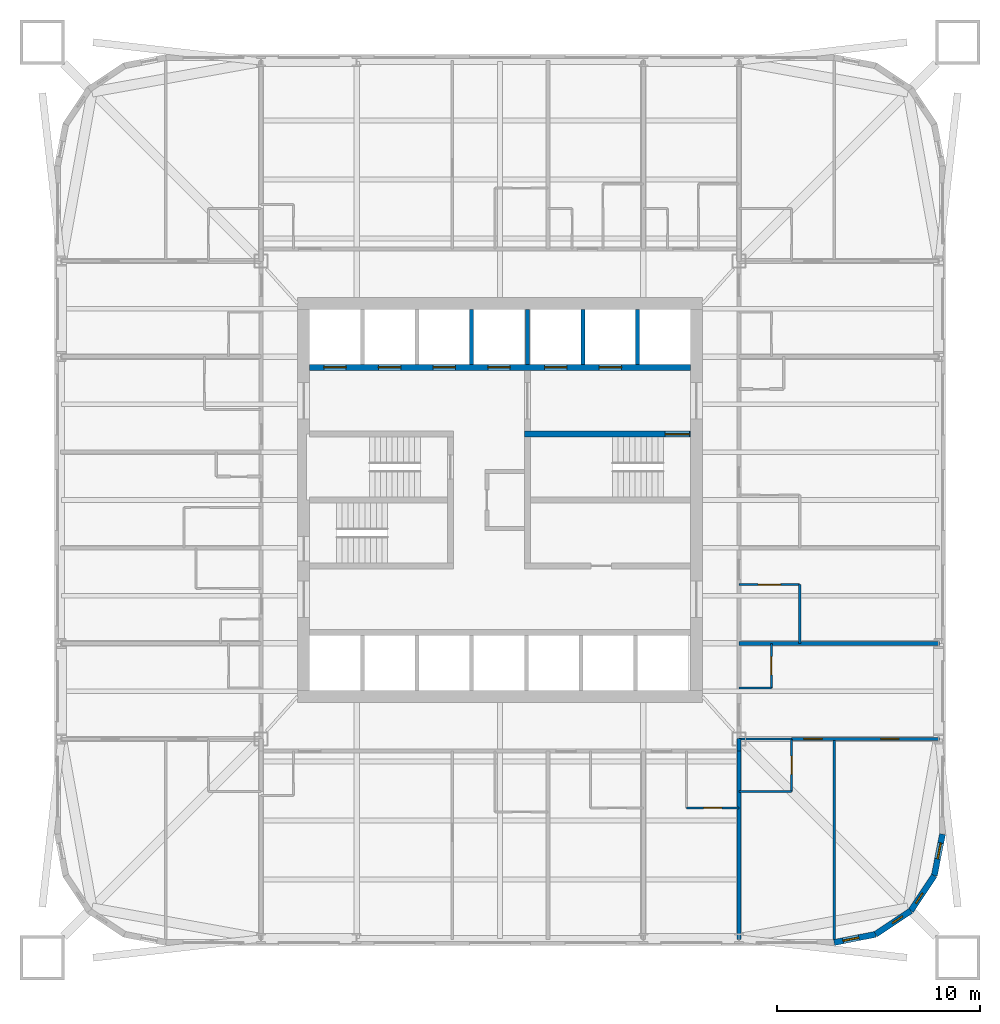
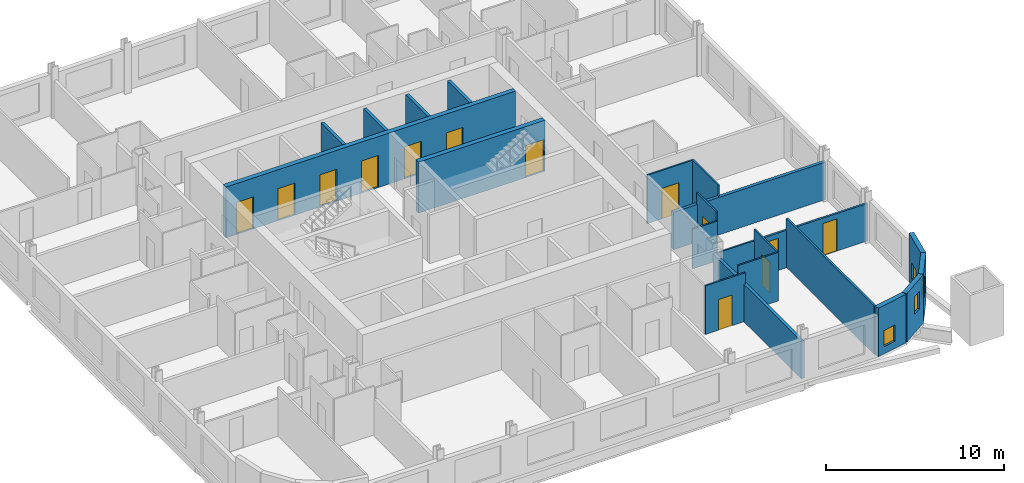
# One storey, part 5 of 9: 23 walls, 13 doors, 4 windows, 17 openings.
"""IFC4 building model written with IfcOpenShell, lengths in metres."""

from ifc_helpers import new_model, si_unit, direction, frame, frame_2d, origin, place, context, subcontext, project, spatial, rectangle, extrude, material, layer, layer_set, type_object, element, fill, save


model = new_model("IFC4")

# Units and contexts
model_context = context("Model", 3, precision=1e-05, world=origin(), true_north=direction((0.0, 1.0)))
body_context = subcontext(model_context, "Body", "Model", "MODEL_VIEW")
ifc_project = project(units=[si_unit("LENGTHUNIT", "METRE"), si_unit("AREAUNIT", "SQUARE_METRE"), si_unit("VOLUMEUNIT", "CUBIC_METRE"), si_unit("PLANEANGLEUNIT", "RADIAN"), si_unit("MASSUNIT", "GRAM", prefix="KILO")], contexts=[model_context])

# Site, building, storey
site_placement = place(None, origin())
site = spatial("IfcSite", under=ifc_project, at=site_placement, CompositionType="ELEMENT")
building_placement = place(site_placement, origin())
building = spatial("IfcBuilding", under=site, at=building_placement, Name="Turquesa Mirador Hotel Tower", CompositionType="ELEMENT")
storey_placement = place(building_placement, frame((0.0, 0.0, 28.5)))
storey = spatial("IfcBuildingStorey", under=building, at=storey_placement, Name="L06", CompositionType="ELEMENT", Elevation=28.5)

# Walls
ifc_material_1 = material(Name="Gypsum board on steel studs", Category="steel")
ifc_layer_1 = layer(ifc_material_1, 0.10009765625)
ifc_layer_set_1 = layer_set([ifc_layer_1], Name="BATHROOM WALL 100")
wall_type_1 = type_object("IfcWallType", Name="BATHROOM WALL 100", PredefinedType="PARTITIONING", material=ifc_layer_set_1)
wall_1_placement = place(storey_placement, frame((66.800048828125, 33.199951171875, 0.0), z_axis=(0.0, 0.0, 1.0), x_axis=(1.0, 0.0, 0.0)))
element("IfcWall", 1, at=wall_1_placement, inside=storey, type_object=wall_type_1, Name="Partition L06 003", PredefinedType="PARTITIONING", context=body_context, shape_type="SweptSolid", body=[
    extrude(rectangle(XDim=2.599853515625, YDim=0.10009765625, at=frame_2d((1.2998046875, 0.0))), origin(), (0.0, 0.0, 1.0), 2.572998046875),
])
wall_2_placement = place(storey_placement, frame((66.800048828125, 30.60009765625, 0.0), z_axis=(0.0, 0.0, 1.0), x_axis=(1.0, 0.0, 0.0)))
element("IfcWall", 2, at=wall_2_placement, inside=storey, type_object=wall_type_1, Name="Partition L06 008", PredefinedType="PARTITIONING", context=body_context, shape_type="SweptSolid", body=[
    extrude(rectangle(XDim=2.599853515625, YDim=0.10009765625, at=frame_2d((1.2998046875, 0.0))), origin(), (0.0, 0.0, 1.0), 3.330078125),
])

# Wall, opening, door
wall_3_placement = place(storey_placement, frame((64.199951171875, 29.800048828125, 0.0), z_axis=(0.0, 0.0, 1.0), x_axis=(1.0, 0.0, 0.0)))
wall_3 = element("IfcWall", 3, at=wall_3_placement, inside=storey, type_object=wall_type_1, Name="Partition L06 011", PredefinedType="PARTITIONING", context=body_context, shape_type="SweptSolid", body=[
    extrude(rectangle(XDim=2.60009765625, YDim=0.10009765625, at=frame_2d((1.300048828125, 0.0))), origin(), (0.0, 0.0, 1.0), 3.330078125),
])
opening_1_placement = place(wall_3_placement, frame((0.85009765625, 0.0, 0.0)))
opening_1 = element("IfcOpeningElement", 4, at=opening_1_placement, cuts=wall_3, Name="Opening D02", PredefinedType="OPENING", context=body_context, shape_type="SweptSolid", body=[
    extrude(rectangle(XDim=0.89990234375, YDim=2.10009765625, at=frame_2d((0.449951171875, 1.050048828125))), frame((0.0, 0.06005859375, 0.0), z_axis=(0.0, -1.0, 0.0), x_axis=(1.0, 0.0, 0.0)), (0.0, 0.0, 1.0), 0.1201171875),
])
ifc_material_2 = material(Name="Timber veneered door", Category="wood")
door_type_1 = type_object("IfcDoorType", Name="DOOR 900X2100 EN-SUITE", OperationType="SINGLE_SWING_RIGHT", PredefinedType="DOOR", material=ifc_material_2)
door_1_placement = place(opening_1_placement, origin())
door_1 = element("IfcDoor", 5, at=door_1_placement, inside=storey, type_object=door_type_1, Name="Door 0606B", OperationType="SINGLE_SWING_RIGHT", OverallHeight=2.10009765625, OverallWidth=0.89990234375, PredefinedType="DOOR", context=body_context, shape_type="SweptSolid", body=[
    extrude(rectangle(XDim=0.89990234375, YDim=2.10009765625, at=frame_2d((0.449951171875, 1.050048828125))), frame((0.0, 0.02490234375, 0.0), z_axis=(0.0, -1.0, 0.0), x_axis=(1.0, 0.0, 0.0)), (0.0, 0.0, 1.0), 0.050048828125),
])
fill(opening_1, door_1)

wall_4_placement = place(storey_placement, frame((66.800048828125, 40.820068359375, 0.0), z_axis=(0.0, 0.0, 1.0), x_axis=(1.0, 0.0, 0.0)))
wall_4 = element("IfcWall", 6, at=wall_4_placement, inside=storey, type_object=wall_type_1, Name="Partition L06 015", PredefinedType="PARTITIONING", context=body_context, shape_type="SweptSolid", body=[
    extrude(rectangle(XDim=3.0, YDim=0.10009765625, at=frame_2d((1.5, 0.0))), origin(), (0.0, 0.0, 1.0), 3.330078125),
])
opening_2_placement = place(wall_4_placement, frame((0.949951171875, 0.0, 0.0)))
opening_2 = element("IfcOpeningElement", 7, at=opening_2_placement, cuts=wall_4, Name="Opening D16", PredefinedType="OPENING", context=body_context, shape_type="SweptSolid", body=[
    extrude(rectangle(XDim=1.10009765625, YDim=2.10009765625, at=frame_2d((0.550048828125, 1.050048828125))), frame((0.0, 0.06005859375, 0.0), z_axis=(0.0, -1.0, 0.0), x_axis=(1.0, 0.0, 0.0)), (0.0, 0.0, 1.0), 0.1201171875),
])
ifc_material_3 = material(Name="Timber veneered sliding door", Category="wood")
door_type_2 = type_object("IfcDoorType", Name="DOOR 1100X2100 ACCESSIBLE EN-SUITE", OperationType="SLIDING_TO_LEFT", PredefinedType="DOOR", material=ifc_material_3)
door_2_placement = place(opening_2_placement, origin())
door_2 = element("IfcDoor", 8, at=door_2_placement, inside=storey, type_object=door_type_2, Name="Door 0607B", OperationType="SLIDING_TO_LEFT", OverallHeight=2.10009765625, OverallWidth=1.10009765625, PredefinedType="DOOR", context=body_context, shape_type="SweptSolid", body=[
    extrude(rectangle(XDim=1.10009765625, YDim=2.10009765625, at=frame_2d((0.550048828125, 1.050048828125))), frame((0.0, 0.02490234375, 0.0), z_axis=(0.0, -1.0, 0.0), x_axis=(1.0, 0.0, 0.0)), (0.0, 0.0, 1.0), 0.050048828125),
])
fill(opening_2, door_2)

# Wall
wall_5_placement = place(storey_placement, frame((66.800048828125, 35.719970703125, 0.0), z_axis=(0.0, 0.0, 1.0), x_axis=(1.0, 0.0, 0.0)))
element("IfcWall", 9, at=wall_5_placement, inside=storey, type_object=wall_type_1, Name="Partition L06 021", PredefinedType="PARTITIONING", context=body_context, shape_type="SweptSolid", body=[
    extrude(rectangle(XDim=1.599853515625, YDim=0.10009765625, at=frame_2d((0.7998046875, 0.0))), origin(), (0.0, 0.0, 1.0), 2.722900390625),
])

# Wall, opening, door
wall_6_placement = place(storey_placement, frame((68.39990234375, 35.719970703125, 0.0), z_axis=(0.0, 0.0, 1.0), x_axis=(0.0, 1.0, 0.0)))
wall_6 = element("IfcWall", 10, at=wall_6_placement, inside=storey, type_object=wall_type_1, Name="Partition L06 069", PredefinedType="PARTITIONING", context=body_context, shape_type="SweptSolid", body=[
    extrude(rectangle(XDim=2.199951171875, YDim=0.10009765625, at=frame_2d((1.10009765625, 0.0))), origin(), (0.0, 0.0, 1.0), 3.330078125),
])
opening_3_placement = place(wall_6_placement, frame((0.64990234375, 0.0, 0.0)))
opening_3 = element("IfcOpeningElement", 11, at=opening_3_placement, cuts=wall_6, Name="Opening D06", PredefinedType="OPENING", context=body_context, shape_type="SweptSolid", body=[
    extrude(rectangle(XDim=0.89990234375, YDim=2.10009765625, at=frame_2d((0.449951171875, 1.050048828125))), frame((0.0, 0.06005859375, 0.0), z_axis=(0.0, -1.0, 0.0), x_axis=(1.0, 0.0, 0.0)), (0.0, 0.0, 1.0), 0.1201171875),
])
ifc_material_4 = material(Name="Laminate door", Category="wood")
door_type_3 = type_object("IfcDoorType", Name="DOOR 900X2100 WC", OperationType="SINGLE_SWING_LEFT", PredefinedType="DOOR", material=ifc_material_4)
door_3_placement = place(opening_3_placement, origin())
door_3 = element("IfcDoor", 12, at=door_3_placement, inside=storey, type_object=door_type_3, Name="Door 0615W", OperationType="SINGLE_SWING_LEFT", OverallHeight=2.10009765625, OverallWidth=0.89990234375, PredefinedType="DOOR", context=body_context, shape_type="SweptSolid", body=[
    extrude(rectangle(XDim=0.89990234375, YDim=2.10009765625, at=frame_2d((0.449951171875, 1.050048828125))), frame((0.0, 0.02490234375, 0.0), z_axis=(0.0, -1.0, 0.0), x_axis=(1.0, 0.0, 0.0)), (0.0, 0.0, 1.0), 0.050048828125),
])
fill(opening_3, door_3)

wall_7_placement = place(storey_placement, frame((69.39990234375, 30.60009765625, 0.0), z_axis=(0.0, 0.0, 1.0), x_axis=(0.0, 1.0, 0.0)))
wall_7 = element("IfcWall", 13, at=wall_7_placement, inside=storey, type_object=wall_type_1, Name="Partition L06 072", PredefinedType="PARTITIONING", context=body_context, shape_type="SweptSolid", body=[
    extrude(rectangle(XDim=2.599853515625, YDim=0.10009765625, at=frame_2d((1.2998046875, 0.0))), origin(), (0.0, 0.0, 1.0), 3.330078125),
])
opening_4_placement = place(wall_7_placement, frame((0.85009765625, 0.0, 0.0)))
opening_4 = element("IfcOpeningElement", 14, at=opening_4_placement, cuts=wall_7, Name="Opening D02", PredefinedType="OPENING", context=body_context, shape_type="SweptSolid", body=[
    extrude(rectangle(XDim=0.89990234375, YDim=2.10009765625, at=frame_2d((0.449951171875, 1.050048828125))), frame((0.0, 0.06005859375, 0.0), z_axis=(0.0, -1.0, 0.0), x_axis=(1.0, 0.0, 0.0)), (0.0, 0.0, 1.0), 0.1201171875),
])
door_4_placement = place(opening_4_placement, origin())
door_4 = element("IfcDoor", 15, at=door_4_placement, inside=storey, type_object=door_type_1, Name="Door 0615B", OperationType="SINGLE_SWING_RIGHT", OverallHeight=2.10009765625, OverallWidth=0.89990234375, PredefinedType="DOOR", context=body_context, shape_type="SweptSolid", body=[
    extrude(rectangle(XDim=0.89990234375, YDim=2.10009765625, at=frame_2d((0.449951171875, 1.050048828125))), frame((0.0, 0.02490234375, 0.0), z_axis=(0.0, -1.0, 0.0), x_axis=(1.0, 0.0, 0.0)), (0.0, 0.0, 1.0), 0.050048828125),
])
fill(opening_4, door_4)

# Wall
wall_8_placement = place(storey_placement, frame((69.800048828125, 37.919921875, 0.0), z_axis=(0.0, 0.0, 1.0), x_axis=(0.0, 1.0, 0.0)))
element("IfcWall", 16, at=wall_8_placement, inside=storey, type_object=wall_type_1, Name="Partition L06 074", PredefinedType="PARTITIONING", context=body_context, shape_type="SweptSolid", body=[
    extrude(rectangle(XDim=2.900146484375, YDim=0.10009765625, at=frame_2d((1.4501953125, 0.0))), origin(), (0.0, 0.0, 1.0), 3.330078125),
])

# Wall, openings, doors
ifc_material_5 = material(Name="Concrete C50/60", Category="concrete")
ifc_layer_2 = layer(ifc_material_5, 0.300048828125)
ifc_layer_set_2 = layer_set([ifc_layer_2], Name="CORE INNER WALL 300")
wall_type_2 = type_object("IfcWallType", Name="CORE INNER WALL 300", PredefinedType="SHEAR", material=ifc_layer_set_2)
wall_9_placement = place(storey_placement, frame((45.60009765625, 51.550048828125, 0.0), z_axis=(0.0, 0.0, 1.0), x_axis=(1.0, 0.0, 0.0)))
wall_9 = element("IfcWall", 17, at=wall_9_placement, inside=storey, type_object=wall_type_2, Name="Core wall NL", PredefinedType="SHEAR", context=body_context, shape_type="SweptSolid", body=[
    extrude(rectangle(XDim=18.7998046875, YDim=0.300048828125, at=frame_2d((9.39990234375, 0.0))), origin(), (0.0, 0.0, 1.0), 3.5),
])
opening_5_placement = place(wall_9_placement, frame((0.699951171875, 0.0, 0.0)))
opening_5 = element("IfcOpeningElement", 18, at=opening_5_placement, cuts=wall_9, Name="Opening LD", PredefinedType="OPENING", context=body_context, shape_type="SweptSolid", body=[
    extrude(rectangle(XDim=1.10009765625, YDim=2.199951171875, at=frame_2d((0.550048828125, 1.10009765625))), frame((0.0, 0.159912109375, 0.0), z_axis=(0.0, -1.0, 0.0), x_axis=(1.0, 0.0, 0.0)), (0.0, 0.0, 1.0), 0.320068359375),
])
opening_6_placement = place(wall_9_placement, frame((3.39990234375, 0.0, 0.0)))
opening_6 = element("IfcOpeningElement", 19, at=opening_6_placement, cuts=wall_9, Name="Opening LD", PredefinedType="OPENING", context=body_context, shape_type="SweptSolid", body=[
    extrude(rectangle(XDim=1.10009765625, YDim=2.199951171875, at=frame_2d((0.550048828125, 1.10009765625))), frame((0.0, 0.159912109375, 0.0), z_axis=(0.0, -1.0, 0.0), x_axis=(1.0, 0.0, 0.0)), (0.0, 0.0, 1.0), 0.320068359375),
])
opening_7_placement = place(wall_9_placement, frame((6.10009765625, 0.0, 0.0)))
opening_7 = element("IfcOpeningElement", 20, at=opening_7_placement, cuts=wall_9, Name="Opening LD", PredefinedType="OPENING", context=body_context, shape_type="SweptSolid", body=[
    extrude(rectangle(XDim=1.10009765625, YDim=2.199951171875, at=frame_2d((0.550048828125, 1.10009765625))), frame((0.0, 0.159912109375, 0.0), z_axis=(0.0, -1.0, 0.0), x_axis=(1.0, 0.0, 0.0)), (0.0, 0.0, 1.0), 0.320068359375),
])
opening_8_placement = place(wall_9_placement, frame((8.800048828125, 0.0, 0.0)))
opening_8 = element("IfcOpeningElement", 21, at=opening_8_placement, cuts=wall_9, Name="Opening LD", PredefinedType="OPENING", context=body_context, shape_type="SweptSolid", body=[
    extrude(rectangle(XDim=1.10009765625, YDim=2.199951171875, at=frame_2d((0.550048828125, 1.10009765625))), frame((0.0, 0.159912109375, 0.0), z_axis=(0.0, -1.0, 0.0), x_axis=(1.0, 0.0, 0.0)), (0.0, 0.0, 1.0), 0.320068359375),
])
opening_9_placement = place(wall_9_placement, frame((11.60009765625, 0.0, 0.0)))
opening_9 = element("IfcOpeningElement", 22, at=opening_9_placement, cuts=wall_9, Name="Opening LD", PredefinedType="OPENING", context=body_context, shape_type="SweptSolid", body=[
    extrude(rectangle(XDim=1.10009765625, YDim=2.199951171875, at=frame_2d((0.550048828125, 1.10009765625))), frame((0.0, 0.159912109375, 0.0), z_axis=(0.0, -1.0, 0.0), x_axis=(1.0, 0.0, 0.0)), (0.0, 0.0, 1.0), 0.320068359375),
])
opening_10_placement = place(wall_9_placement, frame((14.300048828125, 0.0, 0.0)))
opening_10 = element("IfcOpeningElement", 23, at=opening_10_placement, cuts=wall_9, Name="Opening LD", PredefinedType="OPENING", context=body_context, shape_type="SweptSolid", body=[
    extrude(rectangle(XDim=1.10009765625, YDim=2.199951171875, at=frame_2d((0.550048828125, 1.10009765625))), frame((0.0, 0.159912109375, 0.0), z_axis=(0.0, -1.0, 0.0), x_axis=(1.0, 0.0, 0.0)), (0.0, 0.0, 1.0), 0.320068359375),
])
ifc_material_6 = material(Name="Stainless steel lift landing door", Category="steel")
door_type_4 = type_object("IfcDoorType", Name="LIFT LANDING DOOR 1100X2200", OperationType="SLIDING_TO_LEFT", PredefinedType="DOOR", material=ifc_material_6)
door_5_placement = place(opening_5_placement, origin())
door_5 = element("IfcDoor", 24, at=door_5_placement, inside=storey, type_object=door_type_4, Name="Lift A1 landing door", OperationType="SLIDING_TO_LEFT", OverallHeight=2.199951171875, OverallWidth=1.10009765625, PredefinedType="DOOR", context=body_context, shape_type="SweptSolid", body=[
    extrude(rectangle(XDim=1.10009765625, YDim=2.199951171875, at=frame_2d((0.550048828125, 1.10009765625))), frame((0.0, 0.02490234375, 0.0), z_axis=(0.0, -1.0, 0.0), x_axis=(1.0, 0.0, 0.0)), (0.0, 0.0, 1.0), 0.050048828125),
])
fill(opening_5, door_5)
door_6_placement = place(opening_6_placement, origin())
door_6 = element("IfcDoor", 25, at=door_6_placement, inside=storey, type_object=door_type_4, Name="Lift A2 landing door", OperationType="SLIDING_TO_LEFT", OverallHeight=2.199951171875, OverallWidth=1.10009765625, PredefinedType="DOOR", context=body_context, shape_type="SweptSolid", body=[
    extrude(rectangle(XDim=1.10009765625, YDim=2.199951171875, at=frame_2d((0.550048828125, 1.10009765625))), frame((0.0, 0.02490234375, 0.0), z_axis=(0.0, -1.0, 0.0), x_axis=(1.0, 0.0, 0.0)), (0.0, 0.0, 1.0), 0.050048828125),
])
fill(opening_6, door_6)
door_7_placement = place(opening_7_placement, origin())
door_7 = element("IfcDoor", 26, at=door_7_placement, inside=storey, type_object=door_type_4, Name="Lift A3 landing door", OperationType="SLIDING_TO_LEFT", OverallHeight=2.199951171875, OverallWidth=1.10009765625, PredefinedType="DOOR", context=body_context, shape_type="SweptSolid", body=[
    extrude(rectangle(XDim=1.10009765625, YDim=2.199951171875, at=frame_2d((0.550048828125, 1.10009765625))), frame((0.0, 0.02490234375, 0.0), z_axis=(0.0, -1.0, 0.0), x_axis=(1.0, 0.0, 0.0)), (0.0, 0.0, 1.0), 0.050048828125),
])
fill(opening_7, door_7)
door_8_placement = place(opening_8_placement, origin())
door_8 = element("IfcDoor", 27, at=door_8_placement, inside=storey, type_object=door_type_4, Name="Lift A4 landing door", OperationType="SLIDING_TO_LEFT", OverallHeight=2.199951171875, OverallWidth=1.10009765625, PredefinedType="DOOR", context=body_context, shape_type="SweptSolid", body=[
    extrude(rectangle(XDim=1.10009765625, YDim=2.199951171875, at=frame_2d((0.550048828125, 1.10009765625))), frame((0.0, 0.02490234375, 0.0), z_axis=(0.0, -1.0, 0.0), x_axis=(1.0, 0.0, 0.0)), (0.0, 0.0, 1.0), 0.050048828125),
])
fill(opening_8, door_8)
door_9_placement = place(opening_9_placement, origin())
door_9 = element("IfcDoor", 28, at=door_9_placement, inside=storey, type_object=door_type_4, Name="Lift S1 landing door", OperationType="SLIDING_TO_LEFT", OverallHeight=2.199951171875, OverallWidth=1.10009765625, PredefinedType="DOOR", context=body_context, shape_type="SweptSolid", body=[
    extrude(rectangle(XDim=1.10009765625, YDim=2.199951171875, at=frame_2d((0.550048828125, 1.10009765625))), frame((0.0, 0.02490234375, 0.0), z_axis=(0.0, -1.0, 0.0), x_axis=(1.0, 0.0, 0.0)), (0.0, 0.0, 1.0), 0.050048828125),
])
fill(opening_9, door_9)
door_10_placement = place(opening_10_placement, origin())
door_10 = element("IfcDoor", 29, at=door_10_placement, inside=storey, type_object=door_type_4, Name="Lift S2 landing door", OperationType="SLIDING_TO_LEFT", OverallHeight=2.199951171875, OverallWidth=1.10009765625, PredefinedType="DOOR", context=body_context, shape_type="SweptSolid", body=[
    extrude(rectangle(XDim=1.10009765625, YDim=2.199951171875, at=frame_2d((0.550048828125, 1.10009765625))), frame((0.0, 0.02490234375, 0.0), z_axis=(0.0, -1.0, 0.0), x_axis=(1.0, 0.0, 0.0)), (0.0, 0.0, 1.0), 0.050048828125),
])
fill(opening_10, door_10)

# Wall, opening, door
wall_10_placement = place(storey_placement, frame((56.199951171875, 48.25, 0.0), z_axis=(0.0, 0.0, 1.0), x_axis=(1.0, 0.0, 0.0)))
wall_10 = element("IfcWall", 30, at=wall_10_placement, inside=storey, type_object=wall_type_2, Name="Core wall MN-E", PredefinedType="SHEAR", context=body_context, shape_type="SweptSolid", body=[
    extrude(rectangle(XDim=8.199951171875, YDim=0.300048828125, at=frame_2d((4.10009765625, 0.0))), origin(), (0.0, 0.0, 1.0), 3.5),
])
opening_11_placement = place(wall_10_placement, frame((6.949951171875, 0.0, 0.0)))
opening_11 = element("IfcOpeningElement", 31, at=opening_11_placement, cuts=wall_10, Name="Opening D03", PredefinedType="OPENING", context=body_context, shape_type="SweptSolid", body=[
    extrude(rectangle(XDim=1.199951171875, YDim=2.199951171875, at=frame_2d((0.60009765625, 1.10009765625))), frame((0.0, 0.159912109375, 0.0), z_axis=(0.0, -1.0, 0.0), x_axis=(1.0, 0.0, 0.0)), (0.0, 0.0, 1.0), 0.320068359375),
])
ifc_material_7 = material(Name="Steel fire door", Category="steel")
door_type_5 = type_object("IfcDoorType", Name="DOOR 1200X2200 STAIR", OperationType="SINGLE_SWING_LEFT", PredefinedType="DOOR", material=ifc_material_7)
door_11_placement = place(opening_11_placement, origin())
door_11 = element("IfcDoor", 32, at=door_11_placement, inside=storey, type_object=door_type_5, Name="Stair ST3 door", OperationType="SINGLE_SWING_LEFT", OverallHeight=2.199951171875, OverallWidth=1.199951171875, PredefinedType="DOOR", context=body_context, shape_type="SweptSolid", body=[
    extrude(rectangle(XDim=1.199951171875, YDim=2.199951171875, at=frame_2d((0.60009765625, 1.10009765625))), frame((0.0, 0.02490234375, 0.0), z_axis=(0.0, -1.0, 0.0), x_axis=(1.0, 0.0, 0.0)), (0.0, 0.0, 1.0), 0.050048828125),
])
fill(opening_11, door_11)

# Wall
ifc_material_8 = material(Name="Fire-rated gypsum board on steel studs", Category="steel")
ifc_layer_3 = layer(ifc_material_8, 0.199951171875)
ifc_layer_set_3 = layer_set([ifc_layer_3], Name="CORRIDOR WALL 200")
wall_type_3 = type_object("IfcWallType", Name="CORRIDOR WALL 200", PredefinedType="PARTITIONING", material=ifc_layer_set_3)
wall_11_placement = place(storey_placement, frame((66.800048828125, 32.60009765625, 0.0), z_axis=(0.0, 0.0, 1.0), x_axis=(0.0, 1.0, 0.0)))
element("IfcWall", 33, at=wall_11_placement, inside=storey, type_object=wall_type_3, Name="Partition L06 090", PredefinedType="PARTITIONING", context=body_context, shape_type="SweptSolid", body=[
    extrude(rectangle(XDim=0.619873046875, YDim=0.199951171875, at=frame_2d((0.31005859375, 0.0))), origin(), (0.0, 0.0, 1.0), 2.572998046875),
])

# Wall, opening, window
ifc_material_9 = material(Name="Limestone cladding on concrete block", Category="masonry")
ifc_layer_4 = layer(ifc_material_9, 0.300048828125)
ifc_layer_set_4 = layer_set([ifc_layer_4], Name="FACADE WALL 300 STONE SCREEN")
wall_type_4 = type_object("IfcWallType", Name="FACADE WALL 300 STONE SCREEN", PredefinedType="SOLIDWALL", material=ifc_layer_set_4)
wall_12_placement = place(storey_placement, frame((71.5, 23.14990234375, 0.0), z_axis=(0.0, 0.0, 1.0), x_axis=(0.980787050784, 0.195081421501, 0.0)))
wall_12 = element("IfcWall", 34, at=wall_12_placement, inside=storey, type_object=wall_type_4, Name="Facade wall L06 00", PredefinedType="SOLIDWALL", context=body_context, shape_type="SweptSolid", body=[
    extrude(rectangle(XDim=2.08740234375, YDim=0.300048828125, at=frame_2d((1.043701171875, 0.0))), origin(), (0.0, 0.0, 1.0), 3.330078125),
])
opening_12_placement = place(wall_12_placement, frame((0.443603515625, 0.0, 0.5)))
opening_12 = element("IfcOpeningElement", 35, at=opening_12_placement, cuts=wall_12, Name="Opening WN19", PredefinedType="OPENING", context=body_context, shape_type="SweptSolid", body=[
    extrude(rectangle(XDim=0.800048828125, YDim=1.10009765625, at=frame_2d((0.39990234375, 0.550048828125))), frame((0.0, 0.159912109375, 0.0), z_axis=(0.0, -1.0, 0.0), x_axis=(1.0, 0.0, 0.0)), (0.0, 0.0, 1.0), 0.320068359375),
])
ifc_material_10 = material(Name="Ceramic-fritted laminated glass", Category="glass")
window_type_1 = type_object("IfcWindowType", Name="FRITTED CORNER WINDOW 800X1100", PartitioningType="DOUBLE_PANEL_HORIZONTAL", PredefinedType="WINDOW", material=ifc_material_10)
window_1_placement = place(opening_12_placement, origin())
window_1 = element("IfcWindow", 36, at=window_1_placement, inside=storey, type_object=window_type_1, Name="Window L06", OverallHeight=1.10009765625, OverallWidth=0.800048828125, PartitioningType="SINGLE_PANEL", PredefinedType="WINDOW", context=body_context, shape_type="SweptSolid", body=[
    extrude(rectangle(XDim=0.800048828125, YDim=1.10009765625, at=frame_2d((0.39990234375, 0.550048828125))), frame((0.0, 0.030029296875, 0.0), z_axis=(0.0, -1.0, 0.0), x_axis=(1.0, 0.0, 0.0)), (0.0, 0.0, 1.0), 0.06005859375),
])
fill(opening_12, window_1)

wall_13_placement = place(storey_placement, frame((73.54736328125, 23.55712890625, 0.0), z_axis=(0.0, 0.0, 1.0), x_axis=(0.831420010345, 0.555644460423, 0.0)))
wall_13 = element("IfcWall", 37, at=wall_13_placement, inside=storey, type_object=wall_type_4, Name="Facade wall L06 01", PredefinedType="SOLIDWALL", context=body_context, shape_type="SweptSolid", body=[
    extrude(rectangle(XDim=2.08740234375, YDim=0.300048828125, at=frame_2d((1.043701171875, 0.0))), origin(), (0.0, 0.0, 1.0), 3.330078125),
])
opening_13_placement = place(wall_13_placement, frame((0.99365234375, 0.0, 1.300048828125)))
opening_13 = element("IfcOpeningElement", 38, at=opening_13_placement, cuts=wall_13, Name="Opening WN13", PredefinedType="OPENING", context=body_context, shape_type="SweptSolid", body=[
    extrude(rectangle(XDim=0.60009765625, YDim=1.199951171875, at=frame_2d((0.300048828125, 0.60009765625))), frame((0.0, 0.159912109375, 0.0), z_axis=(0.0, -1.0, 0.0), x_axis=(1.0, 0.0, 0.0)), (0.0, 0.0, 1.0), 0.320068359375),
])
ifc_material_11 = material(Name="Ceramic-fritted laminated glass", Category="glass")
window_type_2 = type_object("IfcWindowType", Name="FRITTED CORNER WINDOW 600X1200", PartitioningType="DOUBLE_PANEL_HORIZONTAL", PredefinedType="WINDOW", material=ifc_material_11)
window_2_placement = place(opening_13_placement, origin())
window_2 = element("IfcWindow", 39, at=window_2_placement, inside=storey, type_object=window_type_2, Name="Window L06", OverallHeight=1.199951171875, OverallWidth=0.60009765625, PartitioningType="SINGLE_PANEL", PredefinedType="WINDOW", context=body_context, shape_type="SweptSolid", body=[
    extrude(rectangle(XDim=0.60009765625, YDim=1.199951171875, at=frame_2d((0.300048828125, 0.60009765625))), frame((0.0, 0.030029296875, 0.0), z_axis=(0.0, -1.0, 0.0), x_axis=(1.0, 0.0, 0.0)), (0.0, 0.0, 1.0), 0.06005859375),
])
fill(opening_13, window_2)

wall_14_placement = place(storey_placement, frame((75.282958984375, 24.717041015625, 0.0), z_axis=(0.0, 0.0, 1.0), x_axis=(0.555644460423, 0.831420010345, 0.0)))
wall_14 = element("IfcWall", 40, at=wall_14_placement, inside=storey, type_object=wall_type_4, Name="Facade wall L06 02", PredefinedType="SOLIDWALL", context=body_context, shape_type="SweptSolid", body=[
    extrude(rectangle(XDim=2.08740234375, YDim=0.300048828125, at=frame_2d((1.043701171875, 0.0))), origin(), (0.0, 0.0, 1.0), 3.330078125),
])
opening_14_placement = place(wall_14_placement, frame((0.443603515625, 0.0, 1.300048828125)))
opening_14 = element("IfcOpeningElement", 41, at=opening_14_placement, cuts=wall_14, Name="Opening WN13", PredefinedType="OPENING", context=body_context, shape_type="SweptSolid", body=[
    extrude(rectangle(XDim=0.60009765625, YDim=1.199951171875, at=frame_2d((0.300048828125, 0.60009765625))), frame((0.0, 0.159912109375, 0.0), z_axis=(0.0, -1.0, 0.0), x_axis=(1.0, 0.0, 0.0)), (0.0, 0.0, 1.0), 0.320068359375),
])
window_3_placement = place(opening_14_placement, origin())
window_3 = element("IfcWindow", 42, at=window_3_placement, inside=storey, type_object=window_type_2, Name="Window L06", OverallHeight=1.199951171875, OverallWidth=0.60009765625, PartitioningType="SINGLE_PANEL", PredefinedType="WINDOW", context=body_context, shape_type="SweptSolid", body=[
    extrude(rectangle(XDim=0.60009765625, YDim=1.199951171875, at=frame_2d((0.300048828125, 0.60009765625))), frame((0.0, 0.030029296875, 0.0), z_axis=(0.0, -1.0, 0.0), x_axis=(1.0, 0.0, 0.0)), (0.0, 0.0, 1.0), 0.06005859375),
])
fill(opening_14, window_3)

wall_15_placement = place(storey_placement, frame((76.44287109375, 26.45263671875, 0.0), z_axis=(0.0, 0.0, 1.0), x_axis=(0.195081421501, 0.980787050784, 0.0)))
wall_15 = element("IfcWall", 43, at=wall_15_placement, inside=storey, type_object=wall_type_4, Name="Facade wall L06 03", PredefinedType="SOLIDWALL", context=body_context, shape_type="SweptSolid", body=[
    extrude(rectangle(XDim=2.08740234375, YDim=0.300048828125, at=frame_2d((1.043701171875, 0.0))), origin(), (0.0, 0.0, 1.0), 3.330078125),
])
opening_15_placement = place(wall_15_placement, frame((0.84375, 0.0, 0.5)))
opening_15 = element("IfcOpeningElement", 44, at=opening_15_placement, cuts=wall_15, Name="Opening WN19", PredefinedType="OPENING", context=body_context, shape_type="SweptSolid", body=[
    extrude(rectangle(XDim=0.800048828125, YDim=1.10009765625, at=frame_2d((0.39990234375, 0.550048828125))), frame((0.0, 0.159912109375, 0.0), z_axis=(0.0, -1.0, 0.0), x_axis=(1.0, 0.0, 0.0)), (0.0, 0.0, 1.0), 0.320068359375),
])
window_4_placement = place(opening_15_placement, origin())
window_4 = element("IfcWindow", 45, at=window_4_placement, inside=storey, type_object=window_type_1, Name="Window L06", OverallHeight=1.10009765625, OverallWidth=0.800048828125, PartitioningType="SINGLE_PANEL", PredefinedType="WINDOW", context=body_context, shape_type="SweptSolid", body=[
    extrude(rectangle(XDim=0.800048828125, YDim=1.10009765625, at=frame_2d((0.39990234375, 0.550048828125))), frame((0.0, 0.030029296875, 0.0), z_axis=(0.0, -1.0, 0.0), x_axis=(1.0, 0.0, 0.0)), (0.0, 0.0, 1.0), 0.06005859375),
])
fill(opening_15, window_4)

# Walls
ifc_material_12 = material(Name="Fire-rated gypsum shaft wall on steel studs", Category="steel")
ifc_layer_5 = layer(ifc_material_12, 0.199951171875)
ifc_layer_set_5 = layer_set([ifc_layer_5], Name="LIFT SHAFT DIVIDER 200")
wall_type_5 = type_object("IfcWallType", Name="LIFT SHAFT DIVIDER 200", PredefinedType="PARTITIONING", material=ifc_layer_set_5)
for number, where, z_axis, x_axis, name in (
    (46, (53.60009765625, 51.699951171875, 0.0), (0.0, 0.0, 1.0), (0.0, 1.0, 0.0), "Lift shaft divider"),
    (47, (59.10009765625, 51.699951171875, 0.0), (0.0, 0.0, 1.0), (0.0, 1.0, 0.0), "Lift shaft divider"),
    (48, (61.800048828125, 51.699951171875, 0.0), (0.0, 0.0, 1.0), (0.0, 1.0, 0.0), "Lift shaft divider"),
    (49, (56.35009765625, 51.699951171875, 0.0), (0.0, 0.0, 1.0), (0.0, 1.0, 0.0), "Lift shaft divider"),
):
    element("IfcWall", number, at=place(storey_placement, frame(where, z_axis=z_axis, x_axis=x_axis)), inside=storey, type_object=wall_type_5, Name=name, PredefinedType="PARTITIONING", context=body_context, shape_type="SweptSolid", body=[
        extrude(rectangle(XDim=2.699951171875, YDim=0.199951171875, at=frame_2d((1.35009765625, 0.0))), origin(), (0.0, 0.0, 1.0), 3.330078125),
    ])
ifc_material_13 = material(Name="Fire-rated gypsum board on steel studs", Category="steel")
ifc_layer_6 = layer(ifc_material_13, 0.199951171875)
ifc_layer_set_6 = layer_set([ifc_layer_6], Name="PARTY WALL 200")
wall_type_6 = type_object("IfcWallType", Name="PARTY WALL 200", PredefinedType="PARTITIONING", material=ifc_layer_set_6)
wall_16_placement = place(storey_placement, frame((66.800048828125, 37.919921875, 0.0), z_axis=(0.0, 0.0, 1.0), x_axis=(1.0, 0.0, 0.0)))
element("IfcWall", 50, at=wall_16_placement, inside=storey, type_object=wall_type_6, Name="Partition L06 019", PredefinedType="PARTITIONING", context=body_context, shape_type="SweptSolid", body=[
    extrude(rectangle(XDim=9.89990234375, YDim=0.199951171875, at=frame_2d((4.949951171875, 0.0))), origin(), (0.0, 0.0, 1.0), 2.572998046875),
])
wall_17_placement = place(storey_placement, frame((66.800048828125, 23.300048828125, 0.0), z_axis=(0.0, 0.0, 1.0), x_axis=(0.0, 1.0, 0.0)))
element("IfcWall", 51, at=wall_17_placement, inside=storey, type_object=wall_type_6, Name="Partition L06 067", PredefinedType="PARTITIONING", context=body_context, shape_type="SweptSolid", body=[
    extrude(rectangle(XDim=9.300048828125, YDim=0.199951171875, at=frame_2d((4.64990234375, 0.0))), origin(), (0.0, 0.0, 1.0), 2.572998046875),
])

# Wall, openings, doors
ifc_material_14 = material(Name="Acoustic gypsum board on steel studs", Category="steel")
ifc_layer_7 = layer(ifc_material_14, 0.125)
ifc_layer_set_7 = layer_set([ifc_layer_7], Name="SUITE PARTITION 125")
wall_type_7 = type_object("IfcWallType", Name="SUITE PARTITION 125", PredefinedType="PARTITIONING", material=ifc_layer_set_7)
wall_18_placement = place(storey_placement, frame((69.39990234375, 33.199951171875, 0.0), z_axis=(0.0, 0.0, 1.0), x_axis=(1.0, 0.0, 0.0)))
wall_18 = element("IfcWall", 52, at=wall_18_placement, inside=storey, type_object=wall_type_7, Name="Partition L06 005", PredefinedType="PARTITIONING", context=body_context, shape_type="SweptSolid", body=[
    extrude(rectangle(XDim=7.300048828125, YDim=0.125, at=frame_2d((3.64990234375, 0.0))), origin(), (0.0, 0.0, 1.0), 2.572998046875),
])
opening_16_placement = place(wall_18_placement, frame((0.60009765625, 0.0, 0.0)))
opening_16 = element("IfcOpeningElement", 53, at=opening_16_placement, cuts=wall_18, Name="Opening D17", PredefinedType="OPENING", context=body_context, shape_type="SweptSolid", body=[
    extrude(rectangle(XDim=0.89990234375, YDim=2.199951171875, at=frame_2d((0.449951171875, 1.10009765625))), frame((0.0, 0.072509765625, 0.0), z_axis=(0.0, -1.0, 0.0), x_axis=(1.0, 0.0, 0.0)), (0.0, 0.0, 1.0), 0.14501953125),
])
opening_17_placement = place(wall_18_placement, frame((4.39990234375, 0.0, 0.0)))
opening_17 = element("IfcOpeningElement", 54, at=opening_17_placement, cuts=wall_18, Name="Opening D17", PredefinedType="OPENING", context=body_context, shape_type="SweptSolid", body=[
    extrude(rectangle(XDim=0.89990234375, YDim=2.199951171875, at=frame_2d((0.449951171875, 1.10009765625))), frame((0.0, 0.072509765625, 0.0), z_axis=(0.0, -1.0, 0.0), x_axis=(1.0, 0.0, 0.0)), (0.0, 0.0, 1.0), 0.14501953125),
])
ifc_material_15 = material(Name="Timber veneered door", Category="wood")
door_type_6 = type_object("IfcDoorType", Name="DOOR 900X2200 SUITE INTERNAL", OperationType="SINGLE_SWING_LEFT", PredefinedType="DOOR", material=ifc_material_15)
door_12_placement = place(opening_16_placement, origin())
door_12 = element("IfcDoor", 55, at=door_12_placement, inside=storey, type_object=door_type_6, Name="Door 0615R", OperationType="SINGLE_SWING_LEFT", OverallHeight=2.199951171875, OverallWidth=0.89990234375, PredefinedType="DOOR", context=body_context, shape_type="SweptSolid", body=[
    extrude(rectangle(XDim=0.89990234375, YDim=2.199951171875, at=frame_2d((0.449951171875, 1.10009765625))), frame((0.0, 0.02490234375, 0.0), z_axis=(0.0, -1.0, 0.0), x_axis=(1.0, 0.0, 0.0)), (0.0, 0.0, 1.0), 0.050048828125),
])
fill(opening_16, door_12)
door_13_placement = place(opening_17_placement, origin())
door_13 = element("IfcDoor", 56, at=door_13_placement, inside=storey, type_object=door_type_6, Name="Door 0615S", OperationType="SINGLE_SWING_LEFT", OverallHeight=2.199951171875, OverallWidth=0.89990234375, PredefinedType="DOOR", context=body_context, shape_type="SweptSolid", body=[
    extrude(rectangle(XDim=0.89990234375, YDim=2.199951171875, at=frame_2d((0.449951171875, 1.10009765625))), frame((0.0, 0.02490234375, 0.0), z_axis=(0.0, -1.0, 0.0), x_axis=(1.0, 0.0, 0.0)), (0.0, 0.0, 1.0), 0.050048828125),
])
fill(opening_17, door_13)

# Wall
wall_19_placement = place(storey_placement, frame((71.5, 23.305908203125, 0.0), z_axis=(0.0, 0.0, 1.0), x_axis=(0.0, 1.0, 0.0)))
element("IfcWall", 57, at=wall_19_placement, inside=storey, type_object=wall_type_7, Name="Partition L06 076", PredefinedType="PARTITIONING", context=body_context, shape_type="SweptSolid", body=[
    extrude(rectangle(XDim=9.89404296875, YDim=0.125, at=frame_2d((4.947021484375, 0.0))), origin(), (0.0, 0.0, 1.0), 3.330078125),
])

save(model, "model.ifc")
